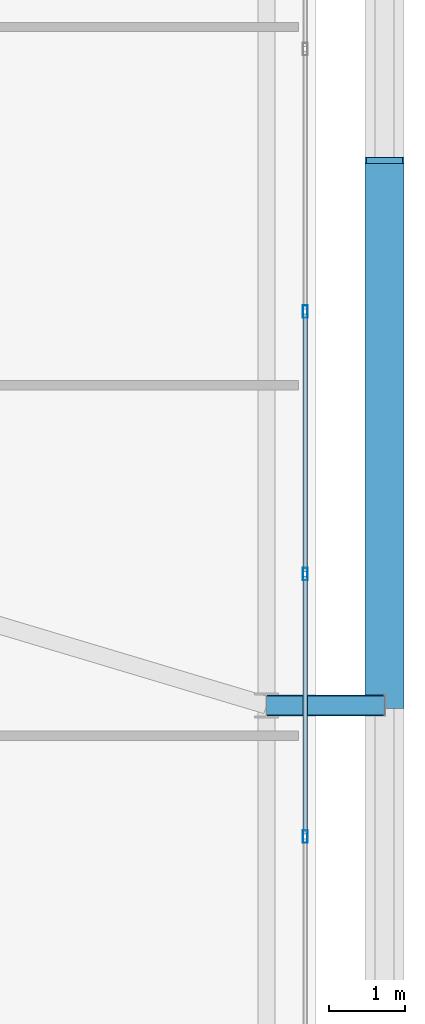
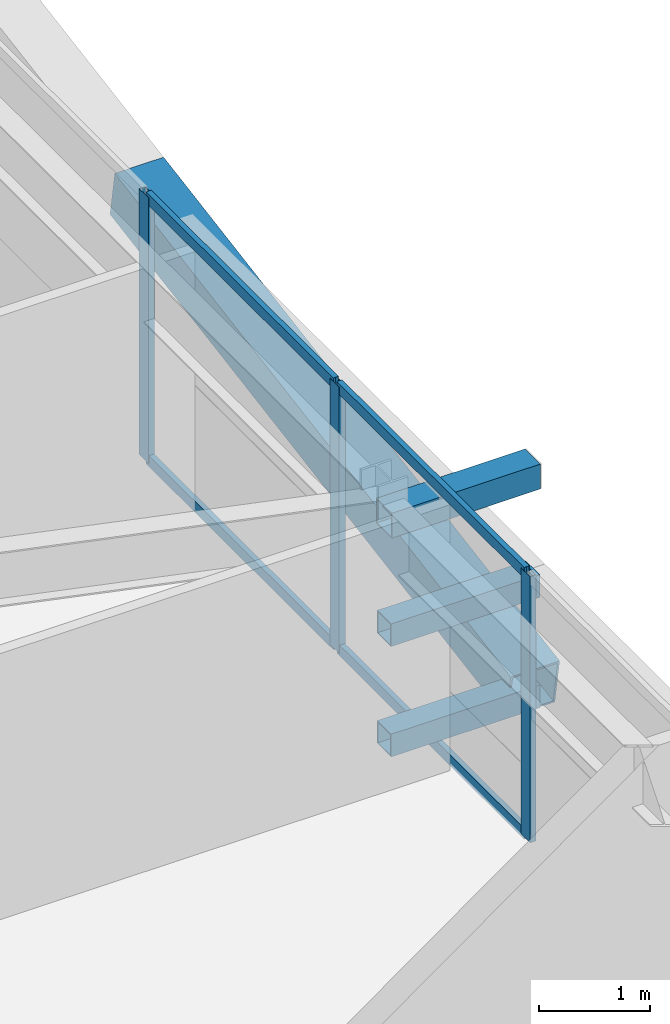
# One storey, part 30 of 59: 11 members, 1 element without a shape of its own.
"""IFC4 building model written with IfcOpenShell, lengths in metres."""

from ifc_helpers import new_model, si_unit, direction, frame, origin, origin_2d, place, context, subcontext, project, spatial, hollow_rectangle, extrude, source, transform, mapped, material, layer, layer_set, material_profile, profile_set, type_object, element, aggregate, save


model = new_model("IFC4")

# Units and contexts
model_context = context("Model", 3, precision=1e-05, world=origin(), true_north=direction((0.0, 1.0)))
body_context = subcontext(model_context, "Body", "Model", "MODEL_VIEW")
ifc_project = project(units=[si_unit("LENGTHUNIT", "METRE"), si_unit("AREAUNIT", "SQUARE_METRE"), si_unit("VOLUMEUNIT", "CUBIC_METRE"), si_unit("PLANEANGLEUNIT", "RADIAN"), si_unit("MASSUNIT", "GRAM", prefix="KILO")], contexts=[model_context])

# Site, building, storey
site_placement = place(None, origin())
site = spatial("IfcSite", under=ifc_project, at=site_placement, CompositionType="ELEMENT")
building_placement = place(site_placement, origin())
building = spatial("IfcBuilding", under=site, at=building_placement, Name="Taldren Reach Tower", CompositionType="ELEMENT")
storey_placement = place(building_placement, frame((0.0, 0.0, 19.949951171875)))
storey = spatial("IfcBuildingStorey", under=building, at=storey_placement, Name="L05", CompositionType="ELEMENT", Elevation=19.949951171875)

# Members
ifc_material_1 = material(Name="Steel Gr 450 (C450L0)", Category="steel")
ifc_material_profile_1 = material_profile(ifc_material_1, hollow_rectangle(XDim=0.27490234375, YDim=0.27490234375, WallThickness=0.00927734375, at=origin_2d()), Name="275x275x9.3SHS")
ifc_profile_set_1 = profile_set([ifc_material_profile_1], Name="Steel Gr 450 (C450L0)")
member_type_1 = type_object("IfcMemberType", Name="MB-TIE273", PredefinedType="STRUT", material=ifc_profile_set_1)
shared_shape_1 = source(origin(), body_context, "Body", "SweptSolid", [
    extrude(hollow_rectangle(XDim=0.27490234375, YDim=0.27490234375, WallThickness=0.00927734375, at=origin_2d()), origin(), (0.0, 0.0, 1.0), 1.5498046875),
])
member_1_placement = place(storey_placement, frame((64.35009765625, 20.0, 2.650146484375), z_axis=(1.0, 0.0, 0.0), x_axis=(0.0, 1.0, 0.0)))
element("IfcMember", 1, at=member_1_placement, inside=storey, type_object=member_type_1, Name="Exoskeleton diaphragm tie strut B1-E2 L05", PredefinedType="STRUT", context=body_context, shape_type="MappedRepresentation", body=[
    mapped(shared_shape_1, transform((0.0, 0.0, 0.0), scale=1.0)),
])
ifc_material_2 = material(Name="Steel Gr 350 (C350L0)", Category="steel")
ifc_material_profile_2 = material_profile(ifc_material_2, hollow_rectangle(XDim=0.25, YDim=0.25, WallThickness=0.010009765625, at=origin_2d()), Name="250x250x10.0SHS")
ifc_profile_set_2 = profile_set([ifc_material_profile_2], Name="Steel Gr 350 (C350L0)")
member_type_2 = type_object("IfcMemberType", Name="MB-POST250", PredefinedType="POST", material=ifc_profile_set_2)
shared_shape_2 = source(origin(), body_context, "Body", "SweptSolid", [
    extrude(hollow_rectangle(XDim=0.25, YDim=0.25, WallThickness=0.010009765625, at=origin_2d()), origin(), (0.0, 0.0, 1.0), 1.5498046875),
])
for number, where, z_axis, x_axis, name in (
    (2, (64.35009765625, 20.0, 0.219970703125), (1.0, 0.0, 0.0), (0.0, 1.0, 0.0), "Exoskeleton base diaphragm tie strut B1-E2 L05"),
    (3, (64.35009765625, 20.0, 1.43505859375), (1.0, 0.0, 0.0), (0.0, 1.0, 0.0), "Exoskeleton mid-tier diaphragm tie B1-E2 L05"),
):
    element("IfcMember", number, at=place(storey_placement, frame(where, z_axis=z_axis, x_axis=x_axis)), inside=storey, type_object=member_type_2, Name=name, PredefinedType="POST", context=body_context, shape_type="MappedRepresentation", body=[
        mapped(shared_shape_2, transform((0.0, 0.0, 0.0), scale=1.0)),
    ])
ifc_material_profile_3 = material_profile(ifc_material_1, hollow_rectangle(XDim=0.510009765625, YDim=0.510009765625, WallThickness=0.02001953125, at=origin_2d()), Name="510x510x20.0SHS")
ifc_profile_set_3 = profile_set([ifc_material_profile_3], Name="Steel Gr 450 (C450L0)")
member_type_3 = type_object("IfcMemberType", Name="MB-EXO508", PredefinedType="BRACE", material=ifc_profile_set_3)
shared_shape_3 = source(origin(), body_context, "Body", "SweptSolid", [
    extrude(hollow_rectangle(XDim=0.510009765625, YDim=0.510009765625, WallThickness=0.02001953125, at=origin_2d()), origin(), (0.0, 0.0, 1.0), 7.25244140625),
])
member_2_placement = place(storey_placement, frame((65.89990234375, 20.0, 0.219970703125), z_axis=(0.0, 0.985864855729, 0.167542490848), x_axis=(-1.0, 0.0, 0.0)))
element("IfcMember", 4, at=member_2_placement, inside=storey, type_object=member_type_3, Name="Exoskeleton Diagrid Brace B1-E2 L05", PredefinedType="BRACE", context=body_context, shape_type="MappedRepresentation", body=[
    mapped(shared_shape_3, transform((0.0, 0.0, 0.0), scale=1.0)),
])

# Curtain wall, members
ifc_material_3 = material(Name="Aluminium and Low-E Glass Unitised System", Category="aluminium")
ifc_layer = layer(ifc_material_3, 0.159912109375)
ifc_layer_set = layer_set([ifc_layer], Name="Aluminium and Low-E Glass Unitised System")
curtain_wall_type = type_object("IfcCurtainWallType", Name="CW-SYS-2", PredefinedType="NOTDEFINED", material=ifc_layer_set)
curtain_wall_placement = place(storey_placement, origin())
curtain_wall = element("IfcCurtainWall", 5, at=curtain_wall_placement, inside=storey, type_object=curtain_wall_type, Name="Unitised curtain wall CW-L05-E", PredefinedType="NOTDEFINED")
ifc_material_4 = material(Name="Anodised Aluminium 6063-T6", Category="aluminium")
ifc_material_profile_4 = material_profile(ifc_material_4, hollow_rectangle(XDim=0.06494140625, YDim=0.1650390625, WallThickness=0.00390625, at=origin_2d()), Name="ALU-165x65x4RHS")
ifc_profile_set_4 = profile_set([ifc_material_profile_4], Name="Anodised Aluminium 6063-T6")
member_type_4 = type_object("IfcMemberType", Name="CW-MUL-165", PredefinedType="MULLION", material=ifc_profile_set_4)
shared_shape_4 = source(origin(), body_context, "Body", "SweptSolid", [
    extrude(hollow_rectangle(XDim=0.06494140625, YDim=0.1650390625, WallThickness=0.00390625, at=origin_2d()), origin(), (0.0, 0.0, 1.0), 2.929931640625),
])
member_3_placement = place(storey_placement, frame((64.860107421875, 18.27783203125, 0.0), z_axis=(0.0, 0.0, 1.0), x_axis=(-1.0, 0.0, 0.0)))
member_3 = element("IfcMember", 6, at=member_3_placement, type_object=member_type_4, Name="CW-2 mullion 5", PredefinedType="MULLION", context=body_context, shape_type="MappedRepresentation", body=[
    mapped(shared_shape_4, transform((0.0, 0.0, 0.0), scale=1.0)),
])
member_4_placement = place(storey_placement, frame((64.860107421875, 21.72216796875, 0.0), z_axis=(0.0, 0.0, 1.0), x_axis=(-1.0, 0.0, 0.0)))
member_4 = element("IfcMember", 7, at=member_4_placement, type_object=member_type_4, Name="CW-2 mullion 6", PredefinedType="MULLION", context=body_context, shape_type="MappedRepresentation", body=[
    mapped(shared_shape_4, transform((0.0, 0.0, 0.0), scale=1.0)),
])
member_5_placement = place(storey_placement, frame((64.860107421875, 25.166748046875, 0.0), z_axis=(0.0, 0.0, 1.0), x_axis=(-1.0, 0.0, 0.0)))
member_5 = element("IfcMember", 8, at=member_5_placement, type_object=member_type_4, Name="CW-2 mullion 7", PredefinedType="MULLION", context=body_context, shape_type="MappedRepresentation", body=[
    mapped(shared_shape_4, transform((0.0, 0.0, 0.0), scale=1.0)),
])
ifc_material_profile_5 = material_profile(ifc_material_4, hollow_rectangle(XDim=0.054931640625, YDim=0.1201171875, WallThickness=0.0029296875, at=origin_2d()), Name="ALU-120x55x3RHS")
ifc_profile_set_5 = profile_set([ifc_material_profile_5], Name="Anodised Aluminium 6063-T6")
member_type_5 = type_object("IfcMemberType", Name="CW-TRN-135", PredefinedType="USERDEFINED", material=ifc_profile_set_5)
shared_shape_5 = source(origin(), body_context, "Body", "SweptSolid", [
    extrude(hollow_rectangle(XDim=0.054931640625, YDim=0.1201171875, WallThickness=0.0029296875, at=origin_2d()), origin(), (0.0, 0.0, 1.0), 3.37939453125),
])
member_6_placement = place(storey_placement, frame((64.860107421875, 18.310302734375, 0.027587890625), z_axis=(0.0, 1.0, 0.0), x_axis=(-1.0, 0.0, 0.0)))
member_6 = element("IfcMember", 9, at=member_6_placement, type_object=member_type_5, Name="CW-2 transom 5.1", ObjectType="TRANSOM", PredefinedType="USERDEFINED", context=body_context, shape_type="MappedRepresentation", body=[
    mapped(shared_shape_5, transform((0.0, 0.0, 0.0), scale=1.0)),
])
member_7_placement = place(storey_placement, frame((64.860107421875, 18.310302734375, 2.902587890625), z_axis=(0.0, 1.0, 0.0), x_axis=(-1.0, 0.0, 0.0)))
member_7 = element("IfcMember", 10, at=member_7_placement, type_object=member_type_5, Name="CW-2 transom 5.2", ObjectType="TRANSOM", PredefinedType="USERDEFINED", context=body_context, shape_type="MappedRepresentation", body=[
    mapped(shared_shape_5, transform((0.0, 0.0, 0.0), scale=1.0)),
])
shared_shape_6 = source(origin(), body_context, "Body", "SweptSolid", [
    extrude(hollow_rectangle(XDim=0.054931640625, YDim=0.1201171875, WallThickness=0.0029296875, at=origin_2d()), origin(), (0.0, 0.0, 1.0), 3.379638671875),
])
member_8_placement = place(storey_placement, frame((64.860107421875, 21.754638671875, 0.027587890625), z_axis=(0.0, 1.0, 0.0), x_axis=(-1.0, 0.0, 0.0)))
member_8 = element("IfcMember", 11, at=member_8_placement, type_object=member_type_5, Name="CW-2 transom 6.1", ObjectType="TRANSOM", PredefinedType="USERDEFINED", context=body_context, shape_type="MappedRepresentation", body=[
    mapped(shared_shape_6, transform((0.0, 0.0, 0.0), scale=1.0)),
])
member_9_placement = place(storey_placement, frame((64.860107421875, 21.754638671875, 2.902587890625), z_axis=(0.0, 1.0, 0.0), x_axis=(-1.0, 0.0, 0.0)))
member_9 = element("IfcMember", 12, at=member_9_placement, type_object=member_type_5, Name="CW-2 transom 6.2", ObjectType="TRANSOM", PredefinedType="USERDEFINED", context=body_context, shape_type="MappedRepresentation", body=[
    mapped(shared_shape_6, transform((0.0, 0.0, 0.0), scale=1.0)),
])
aggregate(curtain_wall, [member_3, member_4, member_5, member_6, member_7, member_8, member_9])

save(model, "model.ifc")
